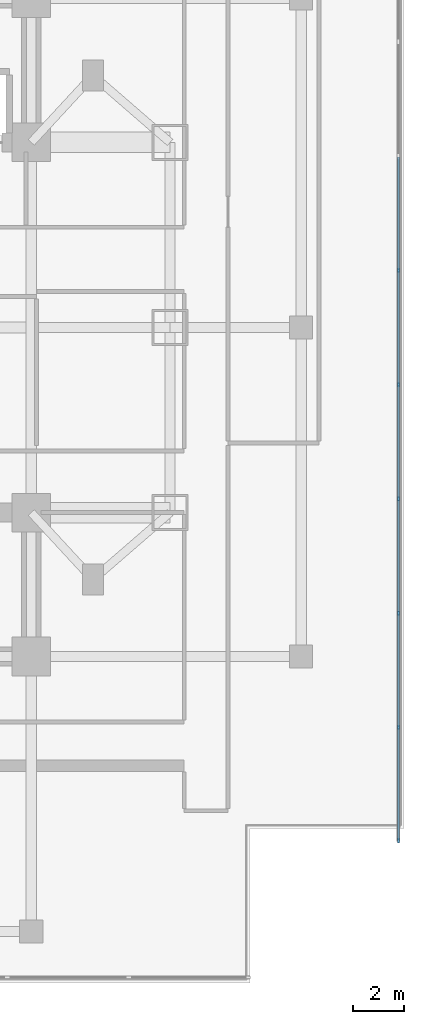
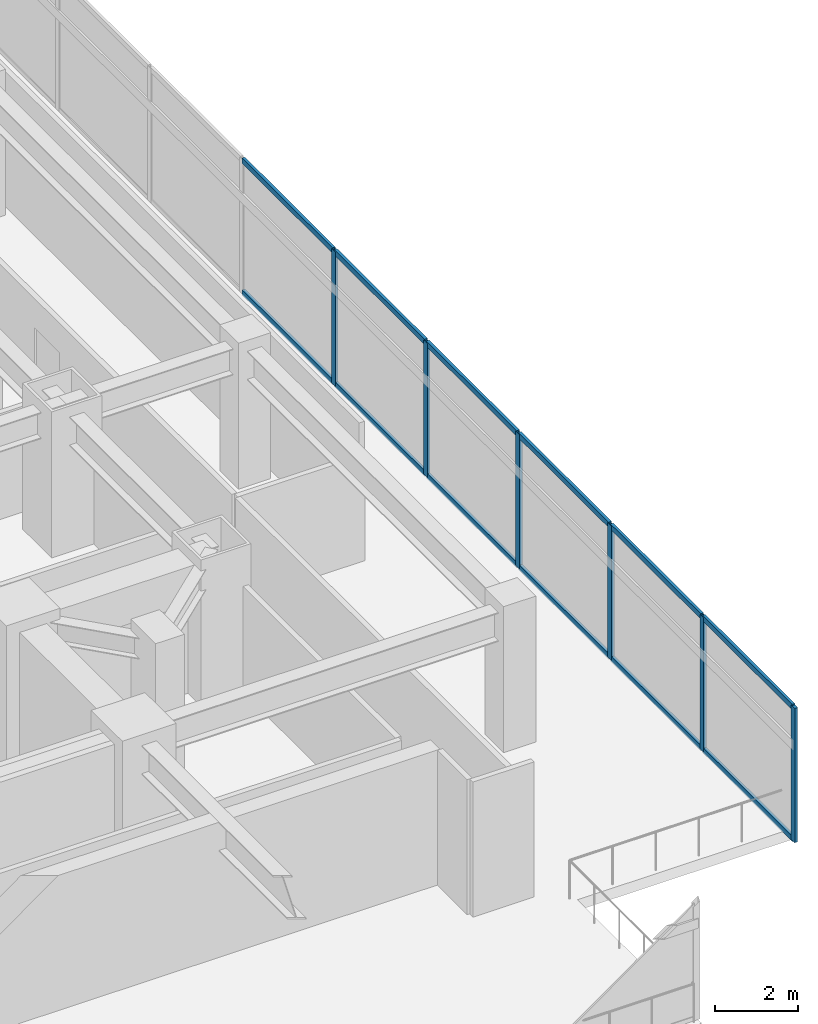
# One storey, part 11 of 30: 18 members, 1 element without a shape of its own.
"""IFC4 building model written with IfcOpenShell, lengths in metres."""

from ifc_helpers import new_model, si_unit, direction, frame, origin, origin_2d, place, context, subcontext, project, spatial, rectangle, extrude, material, material_profile, profile_set, type_object, element, aggregate, save


model = new_model("IFC4")

# Units and contexts
model_context = context("Model", 3, precision=1e-05, world=origin(), true_north=direction((0.0, 1.0)))
body_context = subcontext(model_context, "Body", "Model", "MODEL_VIEW")
ifc_project = project(units=[si_unit("LENGTHUNIT", "METRE"), si_unit("AREAUNIT", "SQUARE_METRE"), si_unit("VOLUMEUNIT", "CUBIC_METRE"), si_unit("PLANEANGLEUNIT", "RADIAN"), si_unit("MASSUNIT", "GRAM", prefix="KILO")], contexts=[model_context])

# Site, building, storey
site_placement = place(None, origin())
site = spatial("IfcSite", under=ifc_project, at=site_placement, CompositionType="ELEMENT")
building_placement = place(site_placement, origin())
building = spatial("IfcBuilding", under=site, at=building_placement, Name="Mirazonda Arch Towers", CompositionType="ELEMENT")
storey_placement = place(building_placement, frame((0.0, 0.0, 9.5)))
storey = spatial("IfcBuildingStorey", under=building, at=storey_placement, Name="L02", CompositionType="ELEMENT", Elevation=9.5)

# Curtain wall, members
ifc_material_1 = material(Name="Anodised Aluminium and Low-E Glass", Category="aluminium")
curtain_wall_type = type_object("IfcCurtainWallType", Name="CW-POD-STORE", PredefinedType="NOTDEFINED", material=ifc_material_1)
curtain_wall_placement = place(storey_placement, origin())
curtain_wall = element("IfcCurtainWall", 1, at=curtain_wall_placement, inside=storey, type_object=curtain_wall_type, Name="L02 Curtain Wall CW-L02-EE", PredefinedType="NOTDEFINED")
ifc_material_2 = material(Name="Anodised Aluminium Alloy", Category="aluminium")
ifc_material_profile_1 = material_profile(ifc_material_2, rectangle(XDim=0.080078125, YDim=0.179931640625, at=origin_2d()), Name="ALU-MULL-80x180")
ifc_profile_set_1 = profile_set([ifc_material_profile_1], Name="Anodised Aluminium Alloy")
member_type_1 = type_object("IfcMemberType", Name="MULL-CW-POD-STORE", PredefinedType="MULLION", material=ifc_profile_set_1)
member_1_placement = place(storey_placement, frame((99.280029296875, 8.0400390625, 0.0), z_axis=(0.0, 0.0, 1.0), x_axis=(-1.0, 0.0, 0.0)))
member_1 = element("IfcMember", 2, at=member_1_placement, type_object=member_type_1, Name="CW-102 mullion 1", PredefinedType="MULLION", context=body_context, shape_type="SweptSolid", body=[
    extrude(rectangle(XDim=0.080078125, YDim=0.179931640625, at=origin_2d()), origin(), (0.0, 0.0, 1.0), 3.9599609375),
])
member_2_placement = place(storey_placement, frame((99.280029296875, 12.4443359375, 0.0), z_axis=(0.0, 0.0, 1.0), x_axis=(-1.0, 0.0, 0.0)))
member_2 = element("IfcMember", 3, at=member_2_placement, type_object=member_type_1, Name="CW-102 mullion 2", PredefinedType="MULLION", context=body_context, shape_type="SweptSolid", body=[
    extrude(rectangle(XDim=0.080078125, YDim=0.179931640625, at=origin_2d()), origin(), (0.0, 0.0, 1.0), 3.9599609375),
])
member_3_placement = place(storey_placement, frame((99.280029296875, 16.888916015625, 0.0), z_axis=(0.0, 0.0, 1.0), x_axis=(-1.0, 0.0, 0.0)))
member_3 = element("IfcMember", 4, at=member_3_placement, type_object=member_type_1, Name="CW-102 mullion 3", PredefinedType="MULLION", context=body_context, shape_type="SweptSolid", body=[
    extrude(rectangle(XDim=0.080078125, YDim=0.179931640625, at=origin_2d()), origin(), (0.0, 0.0, 1.0), 3.9599609375),
])
member_4_placement = place(storey_placement, frame((99.280029296875, 21.333251953125, 0.0), z_axis=(0.0, 0.0, 1.0), x_axis=(-1.0, 0.0, 0.0)))
member_4 = element("IfcMember", 5, at=member_4_placement, type_object=member_type_1, Name="CW-102 mullion 4", PredefinedType="MULLION", context=body_context, shape_type="SweptSolid", body=[
    extrude(rectangle(XDim=0.080078125, YDim=0.179931640625, at=origin_2d()), origin(), (0.0, 0.0, 1.0), 3.9599609375),
])
member_5_placement = place(storey_placement, frame((99.280029296875, 25.77783203125, 0.0), z_axis=(0.0, 0.0, 1.0), x_axis=(-1.0, 0.0, 0.0)))
member_5 = element("IfcMember", 6, at=member_5_placement, type_object=member_type_1, Name="CW-102 mullion 5", PredefinedType="MULLION", context=body_context, shape_type="SweptSolid", body=[
    extrude(rectangle(XDim=0.080078125, YDim=0.179931640625, at=origin_2d()), origin(), (0.0, 0.0, 1.0), 3.9599609375),
])
member_6_placement = place(storey_placement, frame((99.280029296875, 30.22216796875, 0.0), z_axis=(0.0, 0.0, 1.0), x_axis=(-1.0, 0.0, 0.0)))
member_6 = element("IfcMember", 7, at=member_6_placement, type_object=member_type_1, Name="CW-102 mullion 6", PredefinedType="MULLION", context=body_context, shape_type="SweptSolid", body=[
    extrude(rectangle(XDim=0.080078125, YDim=0.179931640625, at=origin_2d()), origin(), (0.0, 0.0, 1.0), 3.9599609375),
])
ifc_material_profile_2 = material_profile(ifc_material_2, rectangle(XDim=0.080078125, YDim=0.159912109375, at=origin_2d()), Name="ALU-TRAN-80x160")
ifc_profile_set_2 = profile_set([ifc_material_profile_2], Name="Anodised Aluminium Alloy")
member_type_2 = type_object("IfcMemberType", Name="TRAN-CW-POD-STORE", PredefinedType="USERDEFINED", material=ifc_profile_set_2)
member_7_placement = place(storey_placement, frame((99.280029296875, 8.080078125, 0.0400390625), z_axis=(0.0, 1.0, 0.0), x_axis=(-1.0, 0.0, 0.0)))
member_7 = element("IfcMember", 8, at=member_7_placement, type_object=member_type_2, Name="CW-102 transom 1.1", ObjectType="TRANSOM", PredefinedType="USERDEFINED", context=body_context, shape_type="SweptSolid", body=[
    extrude(rectangle(XDim=0.080078125, YDim=0.159912109375, at=origin_2d()), origin(), (0.0, 0.0, 1.0), 4.324462890625),
])
member_8_placement = place(storey_placement, frame((99.280029296875, 8.080078125, 3.919921875), z_axis=(0.0, 1.0, 0.0), x_axis=(-1.0, 0.0, 0.0)))
member_8 = element("IfcMember", 9, at=member_8_placement, type_object=member_type_2, Name="CW-102 transom 1.2", ObjectType="TRANSOM", PredefinedType="USERDEFINED", context=body_context, shape_type="SweptSolid", body=[
    extrude(rectangle(XDim=0.080078125, YDim=0.159912109375, at=origin_2d()), origin(), (0.0, 0.0, 1.0), 4.324462890625),
])
member_9_placement = place(storey_placement, frame((99.280029296875, 12.484375, 0.0400390625), z_axis=(0.0, 1.0, 0.0), x_axis=(-1.0, 0.0, 0.0)))
member_9 = element("IfcMember", 10, at=member_9_placement, type_object=member_type_2, Name="CW-102 transom 2.1", ObjectType="TRANSOM", PredefinedType="USERDEFINED", context=body_context, shape_type="SweptSolid", body=[
    extrude(rectangle(XDim=0.080078125, YDim=0.159912109375, at=origin_2d()), origin(), (0.0, 0.0, 1.0), 4.364501953125),
])
member_10_placement = place(storey_placement, frame((99.280029296875, 12.484375, 3.919921875), z_axis=(0.0, 1.0, 0.0), x_axis=(-1.0, 0.0, 0.0)))
member_10 = element("IfcMember", 11, at=member_10_placement, type_object=member_type_2, Name="CW-102 transom 2.2", ObjectType="TRANSOM", PredefinedType="USERDEFINED", context=body_context, shape_type="SweptSolid", body=[
    extrude(rectangle(XDim=0.080078125, YDim=0.159912109375, at=origin_2d()), origin(), (0.0, 0.0, 1.0), 4.364501953125),
])
member_11_placement = place(storey_placement, frame((99.280029296875, 16.928955078125, 0.0400390625), z_axis=(0.0, 1.0, 0.0), x_axis=(-1.0, 0.0, 0.0)))
member_11 = element("IfcMember", 12, at=member_11_placement, type_object=member_type_2, Name="CW-102 transom 3.1", ObjectType="TRANSOM", PredefinedType="USERDEFINED", context=body_context, shape_type="SweptSolid", body=[
    extrude(rectangle(XDim=0.080078125, YDim=0.159912109375, at=origin_2d()), origin(), (0.0, 0.0, 1.0), 4.3642578125),
])
member_12_placement = place(storey_placement, frame((99.280029296875, 16.928955078125, 3.919921875), z_axis=(0.0, 1.0, 0.0), x_axis=(-1.0, 0.0, 0.0)))
member_12 = element("IfcMember", 13, at=member_12_placement, type_object=member_type_2, Name="CW-102 transom 3.2", ObjectType="TRANSOM", PredefinedType="USERDEFINED", context=body_context, shape_type="SweptSolid", body=[
    extrude(rectangle(XDim=0.080078125, YDim=0.159912109375, at=origin_2d()), origin(), (0.0, 0.0, 1.0), 4.3642578125),
])
member_13_placement = place(storey_placement, frame((99.280029296875, 21.373291015625, 0.0400390625), z_axis=(0.0, 1.0, 0.0), x_axis=(-1.0, 0.0, 0.0)))
member_13 = element("IfcMember", 14, at=member_13_placement, type_object=member_type_2, Name="CW-102 transom 4.1", ObjectType="TRANSOM", PredefinedType="USERDEFINED", context=body_context, shape_type="SweptSolid", body=[
    extrude(rectangle(XDim=0.080078125, YDim=0.159912109375, at=origin_2d()), origin(), (0.0, 0.0, 1.0), 4.364501953125),
])
member_14_placement = place(storey_placement, frame((99.280029296875, 21.373291015625, 3.919921875), z_axis=(0.0, 1.0, 0.0), x_axis=(-1.0, 0.0, 0.0)))
member_14 = element("IfcMember", 15, at=member_14_placement, type_object=member_type_2, Name="CW-102 transom 4.2", ObjectType="TRANSOM", PredefinedType="USERDEFINED", context=body_context, shape_type="SweptSolid", body=[
    extrude(rectangle(XDim=0.080078125, YDim=0.159912109375, at=origin_2d()), origin(), (0.0, 0.0, 1.0), 4.364501953125),
])
member_15_placement = place(storey_placement, frame((99.280029296875, 25.81787109375, 0.0400390625), z_axis=(0.0, 1.0, 0.0), x_axis=(-1.0, 0.0, 0.0)))
member_15 = element("IfcMember", 16, at=member_15_placement, type_object=member_type_2, Name="CW-102 transom 5.1", ObjectType="TRANSOM", PredefinedType="USERDEFINED", context=body_context, shape_type="SweptSolid", body=[
    extrude(rectangle(XDim=0.080078125, YDim=0.159912109375, at=origin_2d()), origin(), (0.0, 0.0, 1.0), 4.3642578125),
])
member_16_placement = place(storey_placement, frame((99.280029296875, 25.81787109375, 3.919921875), z_axis=(0.0, 1.0, 0.0), x_axis=(-1.0, 0.0, 0.0)))
member_16 = element("IfcMember", 17, at=member_16_placement, type_object=member_type_2, Name="CW-102 transom 5.2", ObjectType="TRANSOM", PredefinedType="USERDEFINED", context=body_context, shape_type="SweptSolid", body=[
    extrude(rectangle(XDim=0.080078125, YDim=0.159912109375, at=origin_2d()), origin(), (0.0, 0.0, 1.0), 4.3642578125),
])
member_17_placement = place(storey_placement, frame((99.280029296875, 30.26220703125, 0.0400390625), z_axis=(0.0, 1.0, 0.0), x_axis=(-1.0, 0.0, 0.0)))
member_17 = element("IfcMember", 18, at=member_17_placement, type_object=member_type_2, Name="CW-102 transom 6.1", ObjectType="TRANSOM", PredefinedType="USERDEFINED", context=body_context, shape_type="SweptSolid", body=[
    extrude(rectangle(XDim=0.080078125, YDim=0.159912109375, at=origin_2d()), origin(), (0.0, 0.0, 1.0), 4.364501953125),
])
member_18_placement = place(storey_placement, frame((99.280029296875, 30.26220703125, 3.919921875), z_axis=(0.0, 1.0, 0.0), x_axis=(-1.0, 0.0, 0.0)))
member_18 = element("IfcMember", 19, at=member_18_placement, type_object=member_type_2, Name="CW-102 transom 6.2", ObjectType="TRANSOM", PredefinedType="USERDEFINED", context=body_context, shape_type="SweptSolid", body=[
    extrude(rectangle(XDim=0.080078125, YDim=0.159912109375, at=origin_2d()), origin(), (0.0, 0.0, 1.0), 4.364501953125),
])
aggregate(curtain_wall, [member_1, member_2, member_3, member_4, member_5, member_6, member_7, member_8, member_9, member_10, member_11, member_12, member_13, member_14, member_15, member_16, member_17, member_18])

save(model, "model.ifc")
